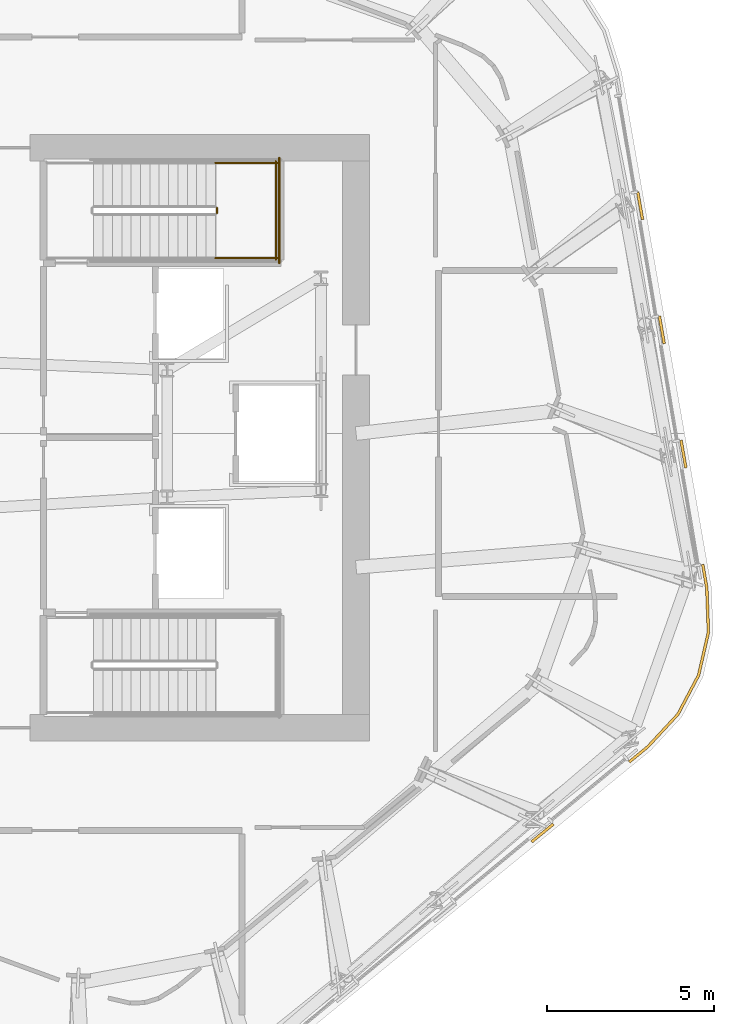
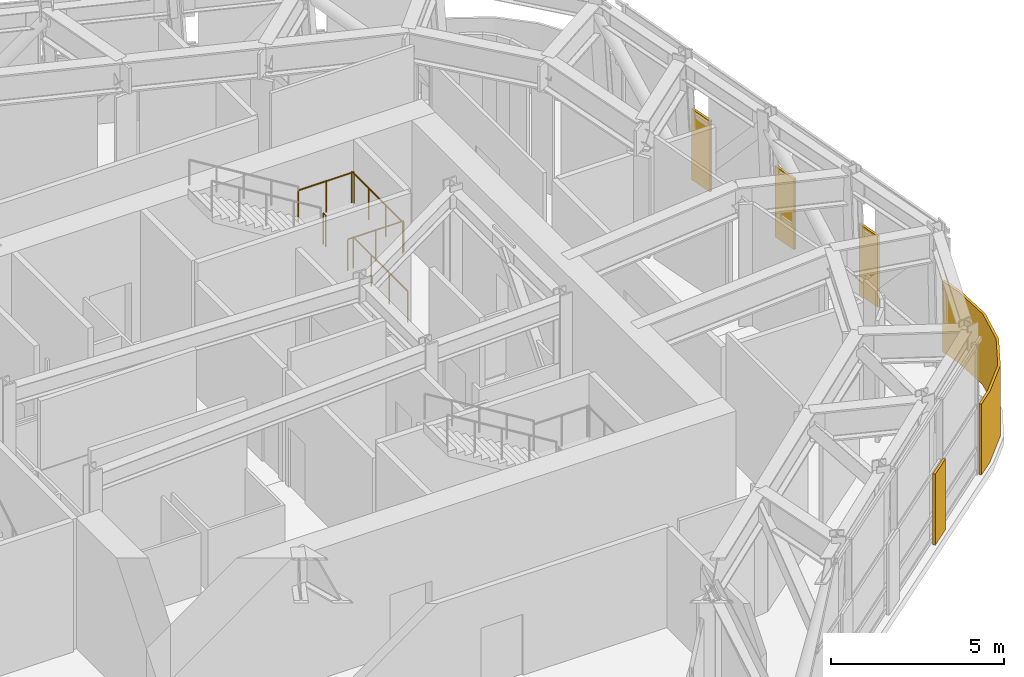
# One storey, part 15 of 16: 5 coverings, 5 railings.
"""IFC4 building model written with IfcOpenShell, lengths in metres."""

from ifc_helpers import new_model, si_unit, direction, frame, origin, origin_2d, place, context, subcontext, project, spatial, polyline, circle, outline, extrude, material, layer, layer_set, type_object, element, save


model = new_model("IFC4")

# Units and contexts
model_context = context("Model", 3, precision=1e-05, world=origin(), true_north=direction((0.0, 1.0)))
body_context = subcontext(model_context, "Body", "Model", "MODEL_VIEW")
ifc_project = project(units=[si_unit("LENGTHUNIT", "METRE"), si_unit("AREAUNIT", "SQUARE_METRE"), si_unit("VOLUMEUNIT", "CUBIC_METRE"), si_unit("PLANEANGLEUNIT", "RADIAN"), si_unit("MASSUNIT", "GRAM", prefix="KILO")], contexts=[model_context])

# Site, building, storey
site_placement = place(None, origin())
site = spatial("IfcSite", under=ifc_project, at=site_placement, CompositionType="ELEMENT")
building_placement = place(site_placement, origin())
building = spatial("IfcBuilding", under=site, at=building_placement, Name="Valkerne Bourse Tower", CompositionType="ELEMENT")
storey_placement = place(building_placement, frame((0.0, 0.0, 193.199951171875)))
storey = spatial("IfcBuildingStorey", under=building, at=storey_placement, Name="L49", CompositionType="ELEMENT", Elevation=193.199951171875)

# Coverings
ifc_material_1 = material(Name="Bronze Anodised Aluminium AA 6063-T6", Category="aluminium")
ifc_layer = layer(ifc_material_1, 0.06005859375)
ifc_layer_set = layer_set([ifc_layer], Name="Bronze Anodised Aluminium AA 6063-T6")
covering_type = type_object("IfcCoveringType", Name="COV-CRN-ALUM", PredefinedType="CLADDING", material=ifc_layer_set)
covering_1_placement = place(storey_placement, origin())
element("IfcCovering", 1, at=covering_1_placement, inside=storey, type_object=covering_type, Name="L49 Wind-Shaped Corner Aluminium Cladding 01", PredefinedType="CLADDING", context=body_context, shape_type="SweptSolid", body=[
    extrude(outline(polyline([(66.581298828125, 21.051513671875), (66.2841796875, 19.75390625), (65.661376953125, 18.577392578125), (64.7509765625, 17.59765625), (64.19677734375, 17.14404296875), (64.145751953125, 17.205810546875), (64.696044921875, 17.656005859375), (65.595458984375, 18.624267578125), (66.20849609375, 19.781982421875), (66.501220703125, 21.05908203125), (66.45263671875, 22.379638671875), (66.33056640625, 23.080078125), (66.409423828125, 23.093505859375), (66.532470703125, 22.387939453125), (66.581298828125, 21.051513671875)])), origin(), (0.0, 0.0, 1.0), 2.5),
])
covering_2_placement = place(storey_placement, origin())
element("IfcCovering", 2, at=covering_2_placement, inside=storey, type_object=covering_type, Name="L49 Wind-Shaped Corner Aluminium Cladding 02", PredefinedType="CLADDING", context=body_context, shape_type="SweptSolid", body=[
    extrude(outline(polyline([(61.27880859375, 14.75537109375), (61.227783203125, 14.81689453125), (61.877685546875, 15.34912109375), (61.9287109375, 15.287353515625), (61.27880859375, 14.75537109375)])), origin(), (0.0, 0.0, 1.0), 2.5),
])
covering_3_placement = place(storey_placement, origin())
element("IfcCovering", 3, at=covering_3_placement, inside=storey, type_object=covering_type, Name="L49 Wind-Shaped Corner Aluminium Cladding 22", PredefinedType="CLADDING", context=body_context, shape_type="SweptSolid", body=[
    extrude(outline(polyline([(64.609375, 33.410888671875), (64.530517578125, 33.3974609375), (64.38623046875, 34.22509765625), (64.465087890625, 34.23828125), (64.609375, 33.410888671875)])), origin(), (0.0, 0.0, 1.0), 2.5),
])
covering_4_placement = place(storey_placement, origin())
element("IfcCovering", 4, at=covering_4_placement, inside=storey, type_object=covering_type, Name="L49 Wind-Shaped Corner Aluminium Cladding 23", PredefinedType="CLADDING", context=body_context, shape_type="SweptSolid", body=[
    extrude(outline(polyline([(65.257568359375, 29.69580078125), (65.1787109375, 29.6826171875), (65.0341796875, 30.510009765625), (65.11328125, 30.5234375), (65.257568359375, 29.69580078125)])), origin(), (0.0, 0.0, 1.0), 2.5),
])
covering_5_placement = place(storey_placement, origin())
element("IfcCovering", 5, at=covering_5_placement, inside=storey, type_object=covering_type, Name="L49 Wind-Shaped Corner Aluminium Cladding 24", PredefinedType="CLADDING", context=body_context, shape_type="SweptSolid", body=[
    extrude(outline(polyline([(65.905517578125, 25.98095703125), (65.82666015625, 25.967529296875), (65.682373046875, 26.795166015625), (65.76123046875, 26.808349609375), (65.905517578125, 25.98095703125)])), origin(), (0.0, 0.0, 1.0), 2.5),
])

# Railings
ifc_material_2 = material(Name="Galvanised Painted Steel", Category="steel")
railing_type = type_object("IfcRailingType", Name="RLG-ST-GUARD-1120", PredefinedType="GUARDRAIL", material=ifc_material_2)
railing_1_placement = place(storey_placement, frame((51.840087890625, 33.60009765625, 2.400146484375)))
element("IfcRailing", 6, at=railing_1_placement, inside=storey, type_object=railing_type, Name="L49 ST-2 stair guard 2", PredefinedType="GUARDRAIL", context=body_context, shape_type="SweptSolid", body=[
    extrude(circle(Radius=0.02392578125, at=origin_2d()), frame((0.0, 0.0, 1.09619140625), z_axis=(0.0, 1.0, 0.0), x_axis=(-1.0, 0.0, 0.0)), (0.0, 0.0, 1.0), 0.14990234375),
    extrude(circle(Radius=0.02099609375, at=origin_2d()), origin(), (0.0, 0.0, 1.0), 1.072021484375),
    extrude(circle(Radius=0.02099609375, at=origin_2d()), frame((0.0, 0.14990234375, 0.0)), (0.0, 0.0, 1.0), 1.072021484375),
])
for number, where, name in (
    (7, (51.7900390625, 32.25, 2.400146484375), "L49 ST-2 stair guard 3"),
    (8, (51.7900390625, 35.10009765625, 2.400146484375), "L49 ST-2 stair guard 4"),
):
    element("IfcRailing", number, at=place(storey_placement, frame(where)), inside=storey, type_object=railing_type, Name=name, PredefinedType="GUARDRAIL", context=body_context, shape_type="SweptSolid", body=[
        extrude(circle(Radius=0.02392578125, at=origin_2d()), frame((0.0, 0.0, 1.09619140625), z_axis=(1.0, 0.0, 0.0), x_axis=(0.0, 1.0, 0.0)), (0.0, 0.0, 1.0), 1.85986328125),
        extrude(circle(Radius=0.02099609375, at=origin_2d()), origin(), (0.0, 0.0, 1.0), 1.072021484375),
        extrude(circle(Radius=0.02099609375, at=origin_2d()), frame((0.929931640625, 0.0, 0.0)), (0.0, 0.0, 1.0), 1.072021484375),
        extrude(circle(Radius=0.02099609375, at=origin_2d()), frame((1.85986328125, 0.0, 0.0)), (0.0, 0.0, 1.0), 1.072021484375),
    ])
railing_2_placement = place(storey_placement, frame((53.60009765625, 32.199951171875, 2.400146484375)))
element("IfcRailing", 9, at=railing_2_placement, inside=storey, type_object=railing_type, Name="L49 ST-2 stair guard 5", PredefinedType="GUARDRAIL", context=body_context, shape_type="SweptSolid", body=[
    extrude(circle(Radius=0.02392578125, at=origin_2d()), frame((0.0, 0.0, 1.09619140625), z_axis=(0.0, 1.0, 0.0), x_axis=(-1.0, 0.0, 0.0)), (0.0, 0.0, 1.0), 2.949951171875),
    extrude(circle(Radius=0.02099609375, at=origin_2d()), origin(), (0.0, 0.0, 1.0), 1.072021484375),
    extrude(circle(Radius=0.02099609375, at=origin_2d()), frame((0.0, 0.9833984375, 0.0)), (0.0, 0.0, 1.0), 1.072021484375),
    extrude(circle(Radius=0.02099609375, at=origin_2d()), frame((0.0, 1.966552734375, 0.0)), (0.0, 0.0, 1.0), 1.072021484375),
    extrude(circle(Radius=0.02099609375, at=origin_2d()), frame((0.0, 2.949951171875, 0.0)), (0.0, 0.0, 1.0), 1.072021484375),
])
railing_3_placement = place(storey_placement, frame((53.699951171875, 32.10009765625, 0.0)))
element("IfcRailing", 10, at=railing_3_placement, inside=storey, type_object=railing_type, Name="L49 ST-2 stair guard 12", PredefinedType="GUARDRAIL", context=body_context, shape_type="SweptSolid", body=[
    extrude(circle(Radius=0.02392578125, at=origin_2d()), frame((0.0, 0.0, 1.09619140625), z_axis=(0.0, 1.0, 0.0), x_axis=(-1.0, 0.0, 0.0)), (0.0, 0.0, 1.0), 3.14990234375),
    extrude(circle(Radius=0.02099609375, at=origin_2d()), origin(), (0.0, 0.0, 1.0), 1.072021484375),
    extrude(circle(Radius=0.02099609375, at=origin_2d()), frame((0.0, 1.050048828125, 0.0)), (0.0, 0.0, 1.0), 1.072021484375),
    extrude(circle(Radius=0.02099609375, at=origin_2d()), frame((0.0, 2.099853515625, 0.0)), (0.0, 0.0, 1.0), 1.072021484375),
    extrude(circle(Radius=0.02099609375, at=origin_2d()), frame((0.0, 3.14990234375, 0.0)), (0.0, 0.0, 1.0), 1.072021484375),
])

save(model, "model.ifc")
